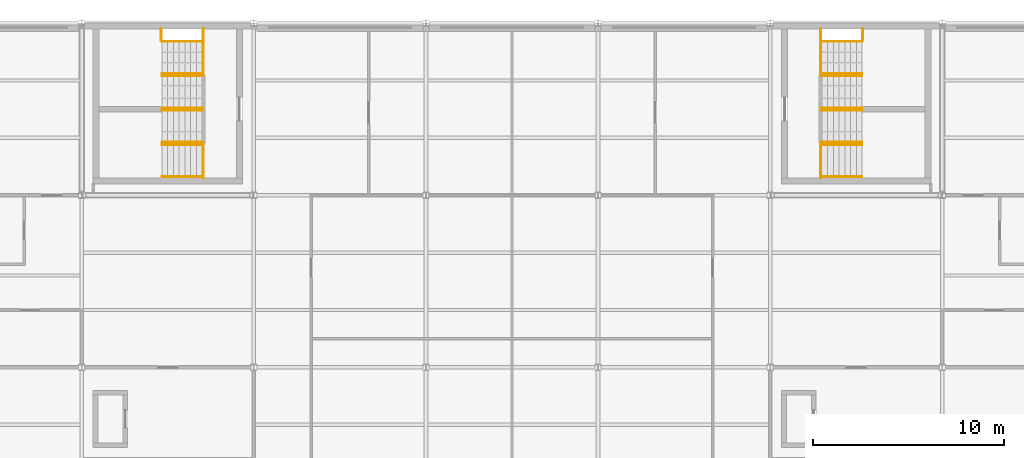
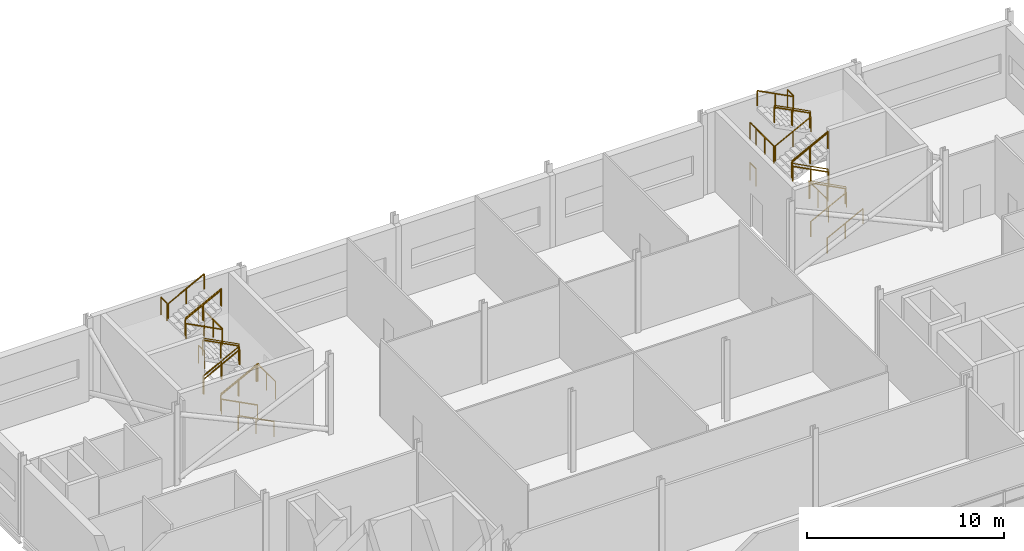
# One storey, part 114 of 115: 34 railings.
"""IFC4 building model written with IfcOpenShell, lengths in metres."""

from ifc_helpers import new_model, si_unit, direction, frame, origin, origin_2d, place, context, subcontext, project, spatial, circle, extrude, material, type_object, element, save


model = new_model("IFC4")

# Units and contexts
model_context = context("Model", 3, precision=1e-05, world=origin(), true_north=direction((0.0, 1.0)))
body_context = subcontext(model_context, "Body", "Model", "MODEL_VIEW")
ifc_project = project(units=[si_unit("LENGTHUNIT", "METRE"), si_unit("AREAUNIT", "SQUARE_METRE"), si_unit("VOLUMEUNIT", "CUBIC_METRE"), si_unit("PLANEANGLEUNIT", "RADIAN"), si_unit("MASSUNIT", "GRAM", prefix="KILO")], contexts=[model_context])

# Site, building, storey
site_placement = place(None, origin())
site = spatial("IfcSite", under=ifc_project, at=site_placement, CompositionType="ELEMENT")
building_placement = place(site_placement, origin())
building = spatial("IfcBuilding", under=site, at=building_placement, Name="Shorebreak Coast Museum", CompositionType="ELEMENT")
storey_placement = place(building_placement, frame((0.0, 0.0, 11.0)))
storey = spatial("IfcBuildingStorey", under=building, at=storey_placement, Name="L02", CompositionType="ELEMENT", Elevation=11.0)

# Railings
ifc_material_1 = material(Name="Steel Grade 300", Category="steel")
railing_type_1 = type_object("IfcRailingType", Name="Stair guard 1100", PredefinedType="GUARDRAIL", material=ifc_material_1)
for number, where, name in (
    (1, (69.35009765625, 108.89990234375, 2.5), "Guard ST09 L02 landing mid1"),
    (2, (69.35009765625, 114.300048828125, 2.5), "Guard ST09 L02 landing mid1"),
):
    element("IfcRailing", number, at=place(storey_placement, frame(where)), inside=storey, type_object=railing_type_1, Name=name, PredefinedType="GUARDRAIL", context=body_context, shape_type="SweptSolid", body=[
        extrude(circle(Radius=0.02490234375, at=origin_2d()), frame((0.0, 0.0, 1.0751953125), z_axis=(0.0, 1.0, 0.0), x_axis=(-1.0, 0.0, 0.0)), (0.0, 0.0, 1.0), 1.800048828125),
        extrude(circle(Radius=0.02001953125, at=origin_2d()), origin(), (0.0, 0.0, 1.0), 1.050048828125),
        extrude(circle(Radius=0.02001953125, at=origin_2d()), frame((0.0, 0.89990234375, 0.0)), (0.0, 0.0, 1.0), 1.050048828125),
        extrude(circle(Radius=0.02001953125, at=origin_2d()), frame((0.0, 1.800048828125, 0.0)), (0.0, 0.0, 1.0), 1.050048828125),
    ])
for number, where, name in (
    (3, (69.35009765625, 116.10009765625, 0.0), "Guard ST09 L02 landing strip"),
    (4, (69.35009765625, 116.10009765625, 2.5), "Guard ST09 L02 landing strip"),
    (5, (67.14990234375, 116.10009765625, 3.75), "Guard ST09 L02 landing strip"),
):
    element("IfcRailing", number, at=place(storey_placement, frame(where)), inside=storey, type_object=railing_type_1, Name=name, PredefinedType="GUARDRAIL", context=body_context, shape_type="SweptSolid", body=[
        extrude(circle(Radius=0.02490234375, at=origin_2d()), frame((0.0, 0.0, 1.0751953125), z_axis=(0.0, 1.0, 0.0), x_axis=(-1.0, 0.0, 0.0)), (0.0, 0.0, 1.0), 0.599853515625),
        extrude(circle(Radius=0.02001953125, at=origin_2d()), origin(), (0.0, 0.0, 1.0), 1.050048828125),
        extrude(circle(Radius=0.02001953125, at=origin_2d()), frame((0.0, 0.599853515625, 0.0)), (0.0, 0.0, 1.0), 1.050048828125),
    ])
for number, where, name in (
    (6, (67.199951171875, 110.699951171875, 1.40625), "Guard ST09-L02 well 1"),
    (7, (67.199951171875, 114.300048828125, 3.90625), "Guard ST09-L02 well 2"),
    (8, (67.199951171875, 112.5, 1.40625), "Guard ST09-L02 side 1"),
):
    element("IfcRailing", number, at=place(storey_placement, frame(where)), inside=storey, type_object=railing_type_1, Name=name, PredefinedType="GUARDRAIL", context=body_context, shape_type="SweptSolid", body=[
        extrude(circle(Radius=0.02490234375, at=origin_2d()), frame((0.0, 0.0, 1.0751953125), z_axis=(0.8869228845, 0.0, 0.461917521804), x_axis=(0.0, 1.0, 0.0)), (0.0, 0.0, 1.0), 2.367919921875),
        extrude(circle(Radius=0.02001953125, at=origin_2d()), origin(), (0.0, 0.0, 1.0), 1.050048828125),
        extrude(circle(Radius=0.02001953125, at=origin_2d()), frame((1.050048828125, 0.0, 0.546875)), (0.0, 0.0, 1.0), 1.050048828125),
        extrude(circle(Radius=0.02001953125, at=origin_2d()), frame((2.10009765625, 0.0, 1.09375)), (0.0, 0.0, 1.0), 1.050048828125),
    ])
railing_1_placement = place(storey_placement, frame((69.300048828125, 112.5, 2.65625)))
element("IfcRailing", 9, at=railing_1_placement, inside=storey, type_object=railing_type_1, Name="Guard ST09-L02 side 2", PredefinedType="GUARDRAIL", context=body_context, shape_type="SweptSolid", body=[
    extrude(circle(Radius=0.02490234375, at=origin_2d()), frame((0.0, 0.0, 1.0751953125), z_axis=(-0.8869228845, 0.0, 0.461917521804), x_axis=(0.0, -1.0, 0.0)), (0.0, 0.0, 1.0), 2.367919921875),
    extrude(circle(Radius=0.02001953125, at=origin_2d()), origin(), (0.0, 0.0, 1.0), 1.050048828125),
    extrude(circle(Radius=0.02001953125, at=origin_2d()), frame((-1.050048828125, 0.0, 0.546875)), (0.0, 0.0, 1.0), 1.050048828125),
    extrude(circle(Radius=0.02001953125, at=origin_2d()), frame((-2.10009765625, 0.0, 1.09375)), (0.0, 0.0, 1.0), 1.050048828125),
])
for number, where, name in (
    (10, (101.64990234375, 108.89990234375, 2.5), "Guard ST10 L02 landing mid1"),
    (11, (101.64990234375, 114.300048828125, 2.5), "Guard ST10 L02 landing mid1"),
):
    element("IfcRailing", number, at=place(storey_placement, frame(where)), inside=storey, type_object=railing_type_1, Name=name, PredefinedType="GUARDRAIL", context=body_context, shape_type="SweptSolid", body=[
        extrude(circle(Radius=0.02490234375, at=origin_2d()), frame((0.0, 0.0, 1.0751953125), z_axis=(0.0, 1.0, 0.0), x_axis=(-1.0, 0.0, 0.0)), (0.0, 0.0, 1.0), 1.800048828125),
        extrude(circle(Radius=0.02001953125, at=origin_2d()), origin(), (0.0, 0.0, 1.0), 1.050048828125),
        extrude(circle(Radius=0.02001953125, at=origin_2d()), frame((0.0, 0.89990234375, 0.0)), (0.0, 0.0, 1.0), 1.050048828125),
        extrude(circle(Radius=0.02001953125, at=origin_2d()), frame((0.0, 1.800048828125, 0.0)), (0.0, 0.0, 1.0), 1.050048828125),
    ])
for number, where, name in (
    (12, (101.64990234375, 116.10009765625, 0.0), "Guard ST10 L02 landing strip"),
    (13, (101.64990234375, 116.10009765625, 2.5), "Guard ST10 L02 landing strip"),
    (14, (103.85009765625, 116.10009765625, 3.75), "Guard ST10 L02 landing strip"),
):
    element("IfcRailing", number, at=place(storey_placement, frame(where)), inside=storey, type_object=railing_type_1, Name=name, PredefinedType="GUARDRAIL", context=body_context, shape_type="SweptSolid", body=[
        extrude(circle(Radius=0.02490234375, at=origin_2d()), frame((0.0, 0.0, 1.0751953125), z_axis=(0.0, 1.0, 0.0), x_axis=(-1.0, 0.0, 0.0)), (0.0, 0.0, 1.0), 0.599853515625),
        extrude(circle(Radius=0.02001953125, at=origin_2d()), origin(), (0.0, 0.0, 1.0), 1.050048828125),
        extrude(circle(Radius=0.02001953125, at=origin_2d()), frame((0.0, 0.599853515625, 0.0)), (0.0, 0.0, 1.0), 1.050048828125),
    ])
for number, where, name in (
    (15, (103.800048828125, 110.699951171875, 1.40625), "Guard ST10-L02 well 1"),
    (16, (103.800048828125, 114.300048828125, 3.90625), "Guard ST10-L02 well 2"),
    (17, (103.800048828125, 112.5, 1.40625), "Guard ST10-L02 side 1"),
):
    element("IfcRailing", number, at=place(storey_placement, frame(where)), inside=storey, type_object=railing_type_1, Name=name, PredefinedType="GUARDRAIL", context=body_context, shape_type="SweptSolid", body=[
        extrude(circle(Radius=0.02490234375, at=origin_2d()), frame((0.0, 0.0, 1.0751953125), z_axis=(-0.8869228845, 0.0, 0.461917521804), x_axis=(0.0, -1.0, 0.0)), (0.0, 0.0, 1.0), 2.367919921875),
        extrude(circle(Radius=0.02001953125, at=origin_2d()), origin(), (0.0, 0.0, 1.0), 1.050048828125),
        extrude(circle(Radius=0.02001953125, at=origin_2d()), frame((-1.050048828125, 0.0, 0.546875)), (0.0, 0.0, 1.0), 1.050048828125),
        extrude(circle(Radius=0.02001953125, at=origin_2d()), frame((-2.10009765625, 0.0, 1.09375)), (0.0, 0.0, 1.0), 1.050048828125),
    ])
railing_2_placement = place(storey_placement, frame((101.699951171875, 112.5, 2.65625)))
element("IfcRailing", 18, at=railing_2_placement, inside=storey, type_object=railing_type_1, Name="Guard ST10-L02 side 2", PredefinedType="GUARDRAIL", context=body_context, shape_type="SweptSolid", body=[
    extrude(circle(Radius=0.02490234375, at=origin_2d()), frame((0.0, 0.0, 1.0751953125), z_axis=(0.8869228845, 0.0, 0.461917521804), x_axis=(0.0, 1.0, 0.0)), (0.0, 0.0, 1.0), 2.367919921875),
    extrude(circle(Radius=0.02001953125, at=origin_2d()), origin(), (0.0, 0.0, 1.0), 1.050048828125),
    extrude(circle(Radius=0.02001953125, at=origin_2d()), frame((1.050048828125, 0.0, 0.546875)), (0.0, 0.0, 1.0), 1.050048828125),
    extrude(circle(Radius=0.02001953125, at=origin_2d()), frame((2.10009765625, 0.0, 1.09375)), (0.0, 0.0, 1.0), 1.050048828125),
])
ifc_material_2 = material(Name="Steel Grade 300", Category="steel")
railing_type_2 = type_object("IfcRailingType", Name="Stair handrail 950", PredefinedType="HANDRAIL", material=ifc_material_2)
for number, where, name in (
    (19, (69.300048828125, 108.9599609375, 0.15625), "Handrail ST09-L02 flight 1a"),
    (20, (69.300048828125, 110.639892578125, 0.15625), "Handrail ST09-L02 flight 1b"),
):
    element("IfcRailing", number, at=place(storey_placement, frame(where)), inside=storey, type_object=railing_type_2, Name=name, PredefinedType="HANDRAIL", context=body_context, shape_type="SweptSolid", body=[
        extrude(circle(Radius=0.02490234375, at=origin_2d()), frame((0.0, 0.0, 0.9248046875), z_axis=(-0.8869228845, 0.0, 0.461917521804), x_axis=(0.0, -1.0, 0.0)), (0.0, 0.0, 1.0), 2.367919921875),
        extrude(circle(Radius=0.02001953125, at=origin_2d()), origin(), (0.0, 0.0, 1.0), 0.89990234375),
        extrude(circle(Radius=0.02001953125, at=origin_2d()), frame((-1.050048828125, 0.0, 0.546875)), (0.0, 0.0, 1.0), 0.89990234375),
        extrude(circle(Radius=0.02001953125, at=origin_2d()), frame((-2.10009765625, 0.0, 1.09375)), (0.0, 0.0, 1.0), 0.89990234375),
    ])
for number, where, name in (
    (21, (67.199951171875, 110.760009765625, 1.40625), "Handrail ST09-L02 flight 2a"),
    (22, (67.199951171875, 112.43994140625, 1.40625), "Handrail ST09-L02 flight 2b"),
):
    element("IfcRailing", number, at=place(storey_placement, frame(where)), inside=storey, type_object=railing_type_2, Name=name, PredefinedType="HANDRAIL", context=body_context, shape_type="SweptSolid", body=[
        extrude(circle(Radius=0.02490234375, at=origin_2d()), frame((0.0, 0.0, 0.9248046875), z_axis=(0.8869228845, 0.0, 0.461917521804), x_axis=(0.0, 1.0, 0.0)), (0.0, 0.0, 1.0), 2.367919921875),
        extrude(circle(Radius=0.02001953125, at=origin_2d()), origin(), (0.0, 0.0, 1.0), 0.89990234375),
        extrude(circle(Radius=0.02001953125, at=origin_2d()), frame((1.050048828125, 0.0, 0.546875)), (0.0, 0.0, 1.0), 0.89990234375),
        extrude(circle(Radius=0.02001953125, at=origin_2d()), frame((2.10009765625, 0.0, 1.09375)), (0.0, 0.0, 1.0), 0.89990234375),
    ])
for number, where, name in (
    (23, (69.300048828125, 112.56005859375, 2.65625), "Handrail ST09-L02 flight 3a"),
    (24, (69.300048828125, 114.239990234375, 2.65625), "Handrail ST09-L02 flight 3b"),
):
    element("IfcRailing", number, at=place(storey_placement, frame(where)), inside=storey, type_object=railing_type_2, Name=name, PredefinedType="HANDRAIL", context=body_context, shape_type="SweptSolid", body=[
        extrude(circle(Radius=0.02490234375, at=origin_2d()), frame((0.0, 0.0, 0.9248046875), z_axis=(-0.8869228845, 0.0, 0.461917521804), x_axis=(0.0, -1.0, 0.0)), (0.0, 0.0, 1.0), 2.367919921875),
        extrude(circle(Radius=0.02001953125, at=origin_2d()), origin(), (0.0, 0.0, 1.0), 0.89990234375),
        extrude(circle(Radius=0.02001953125, at=origin_2d()), frame((-1.050048828125, 0.0, 0.546875)), (0.0, 0.0, 1.0), 0.89990234375),
        extrude(circle(Radius=0.02001953125, at=origin_2d()), frame((-2.10009765625, 0.0, 1.09375)), (0.0, 0.0, 1.0), 0.89990234375),
    ])
for number, where, name in (
    (25, (67.199951171875, 114.360107421875, 3.90625), "Handrail ST09-L02 flight 4a"),
    (26, (67.199951171875, 116.0400390625, 3.90625), "Handrail ST09-L02 flight 4b"),
    (27, (101.699951171875, 108.9599609375, 0.15625), "Handrail ST10-L02 flight 1a"),
    (28, (101.699951171875, 110.639892578125, 0.15625), "Handrail ST10-L02 flight 1b"),
):
    element("IfcRailing", number, at=place(storey_placement, frame(where)), inside=storey, type_object=railing_type_2, Name=name, PredefinedType="HANDRAIL", context=body_context, shape_type="SweptSolid", body=[
        extrude(circle(Radius=0.02490234375, at=origin_2d()), frame((0.0, 0.0, 0.9248046875), z_axis=(0.8869228845, 0.0, 0.461917521804), x_axis=(0.0, 1.0, 0.0)), (0.0, 0.0, 1.0), 2.367919921875),
        extrude(circle(Radius=0.02001953125, at=origin_2d()), origin(), (0.0, 0.0, 1.0), 0.89990234375),
        extrude(circle(Radius=0.02001953125, at=origin_2d()), frame((1.050048828125, 0.0, 0.546875)), (0.0, 0.0, 1.0), 0.89990234375),
        extrude(circle(Radius=0.02001953125, at=origin_2d()), frame((2.10009765625, 0.0, 1.09375)), (0.0, 0.0, 1.0), 0.89990234375),
    ])
for number, where, name in (
    (29, (103.800048828125, 110.760009765625, 1.40625), "Handrail ST10-L02 flight 2a"),
    (30, (103.800048828125, 112.43994140625, 1.40625), "Handrail ST10-L02 flight 2b"),
):
    element("IfcRailing", number, at=place(storey_placement, frame(where)), inside=storey, type_object=railing_type_2, Name=name, PredefinedType="HANDRAIL", context=body_context, shape_type="SweptSolid", body=[
        extrude(circle(Radius=0.02490234375, at=origin_2d()), frame((0.0, 0.0, 0.9248046875), z_axis=(-0.8869228845, 0.0, 0.461917521804), x_axis=(0.0, -1.0, 0.0)), (0.0, 0.0, 1.0), 2.367919921875),
        extrude(circle(Radius=0.02001953125, at=origin_2d()), origin(), (0.0, 0.0, 1.0), 0.89990234375),
        extrude(circle(Radius=0.02001953125, at=origin_2d()), frame((-1.050048828125, 0.0, 0.546875)), (0.0, 0.0, 1.0), 0.89990234375),
        extrude(circle(Radius=0.02001953125, at=origin_2d()), frame((-2.10009765625, 0.0, 1.09375)), (0.0, 0.0, 1.0), 0.89990234375),
    ])
for number, where, name in (
    (31, (101.699951171875, 112.56005859375, 2.65625), "Handrail ST10-L02 flight 3a"),
    (32, (101.699951171875, 114.239990234375, 2.65625), "Handrail ST10-L02 flight 3b"),
):
    element("IfcRailing", number, at=place(storey_placement, frame(where)), inside=storey, type_object=railing_type_2, Name=name, PredefinedType="HANDRAIL", context=body_context, shape_type="SweptSolid", body=[
        extrude(circle(Radius=0.02490234375, at=origin_2d()), frame((0.0, 0.0, 0.9248046875), z_axis=(0.8869228845, 0.0, 0.461917521804), x_axis=(0.0, 1.0, 0.0)), (0.0, 0.0, 1.0), 2.367919921875),
        extrude(circle(Radius=0.02001953125, at=origin_2d()), origin(), (0.0, 0.0, 1.0), 0.89990234375),
        extrude(circle(Radius=0.02001953125, at=origin_2d()), frame((1.050048828125, 0.0, 0.546875)), (0.0, 0.0, 1.0), 0.89990234375),
        extrude(circle(Radius=0.02001953125, at=origin_2d()), frame((2.10009765625, 0.0, 1.09375)), (0.0, 0.0, 1.0), 0.89990234375),
    ])
for number, where, name in (
    (33, (103.800048828125, 114.360107421875, 3.90625), "Handrail ST10-L02 flight 4a"),
    (34, (103.800048828125, 116.0400390625, 3.90625), "Handrail ST10-L02 flight 4b"),
):
    element("IfcRailing", number, at=place(storey_placement, frame(where)), inside=storey, type_object=railing_type_2, Name=name, PredefinedType="HANDRAIL", context=body_context, shape_type="SweptSolid", body=[
        extrude(circle(Radius=0.02490234375, at=origin_2d()), frame((0.0, 0.0, 0.9248046875), z_axis=(-0.8869228845, 0.0, 0.461917521804), x_axis=(0.0, -1.0, 0.0)), (0.0, 0.0, 1.0), 2.367919921875),
        extrude(circle(Radius=0.02001953125, at=origin_2d()), origin(), (0.0, 0.0, 1.0), 0.89990234375),
        extrude(circle(Radius=0.02001953125, at=origin_2d()), frame((-1.050048828125, 0.0, 0.546875)), (0.0, 0.0, 1.0), 0.89990234375),
        extrude(circle(Radius=0.02001953125, at=origin_2d()), frame((-2.10009765625, 0.0, 1.09375)), (0.0, 0.0, 1.0), 0.89990234375),
    ])

save(model, "model.ifc")
